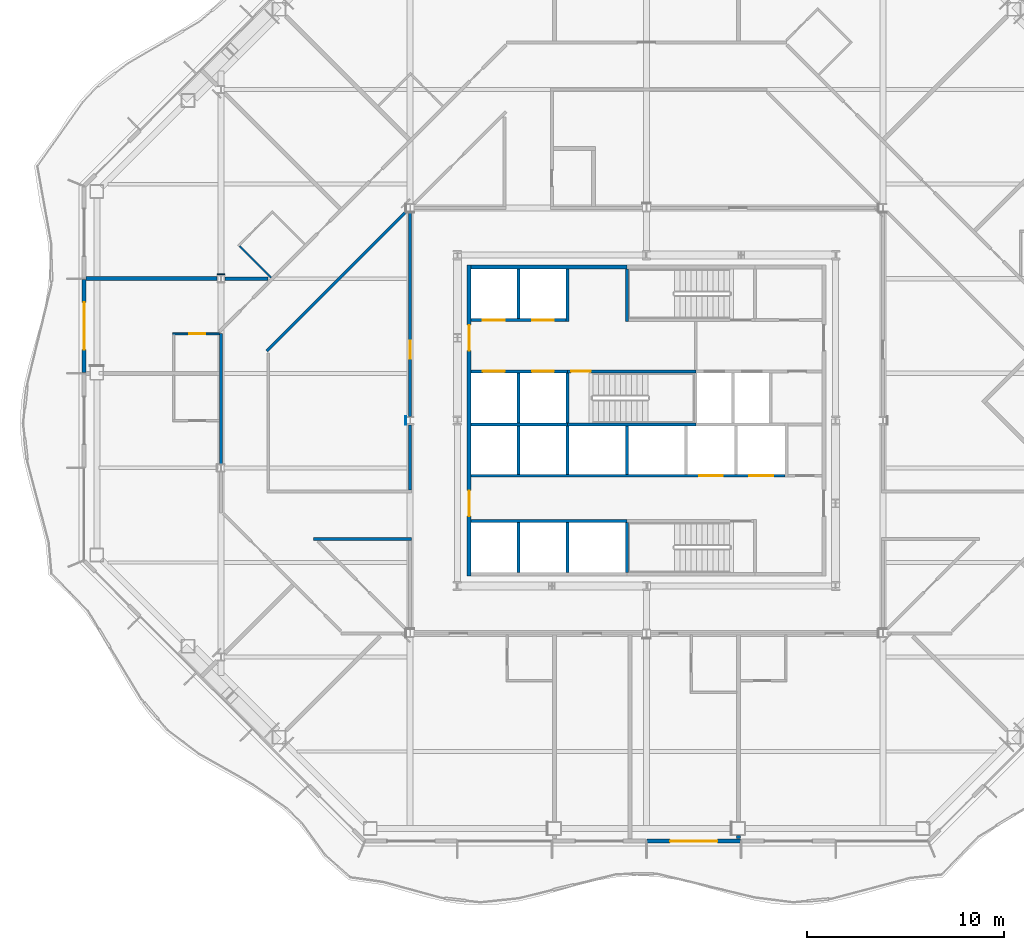
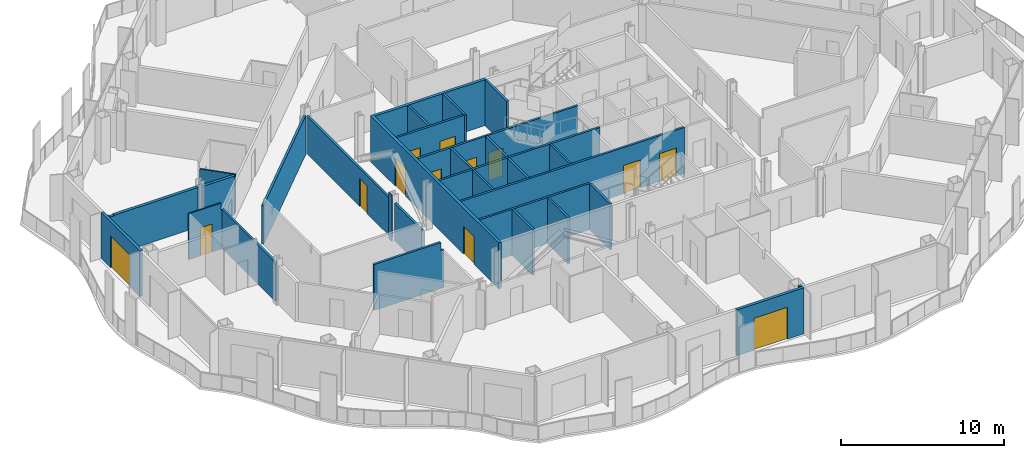
# One storey, part 8 of 21: 34 walls, 13 doors, 13 openings.
"""IFC4 building model written with IfcOpenShell, lengths in metres."""

from ifc_helpers import new_model, si_unit, direction, frame, frame_2d, origin, place, context, subcontext, project, spatial, polyline, rectangle, outline, extrude, material, layer, layer_set, type_object, element, fill, save


model = new_model("IFC4")

# Units and contexts
model_context = context("Model", 3, precision=1e-05, world=origin(), true_north=direction((0.0, 1.0)))
body_context = subcontext(model_context, "Body", "Model", "MODEL_VIEW")
ifc_project = project(units=[si_unit("LENGTHUNIT", "METRE"), si_unit("AREAUNIT", "SQUARE_METRE"), si_unit("VOLUMEUNIT", "CUBIC_METRE"), si_unit("PLANEANGLEUNIT", "RADIAN"), si_unit("MASSUNIT", "GRAM", prefix="KILO")], contexts=[model_context])

# Site, building, storey
site_placement = place(None, origin())
site = spatial("IfcSite", under=ifc_project, at=site_placement, CompositionType="ELEMENT")
building_placement = place(site_placement, origin())
building = spatial("IfcBuilding", under=site, at=building_placement, Name="Cairn Pilgrim Tower", CompositionType="ELEMENT")
storey_placement = place(building_placement, frame((0.0, 0.0, 129.0)))
storey = spatial("IfcBuildingStorey", under=building, at=storey_placement, Name="L31", CompositionType="ELEMENT", Elevation=129.0)

# Wall, opening, door
ifc_material_1 = material(Name="Bronze anodised aluminium insulated sandwich panel with mineral wool fill", Category="aluminium")
ifc_layer_1 = layer(ifc_material_1, 0.199951171875)
ifc_layer_set_1 = layer_set([ifc_layer_1], Name="BRONZE INFILL FRAME WALL 200")
wall_type_1 = type_object("IfcWallType", Name="BRONZE INFILL FRAME WALL 200", PredefinedType="NOTDEFINED", material=ifc_layer_set_1)
wall_1_placement = place(storey_placement, frame((7.22998046875, -18.949951171875, 0.0), z_axis=(0.0, 0.0, 1.0), x_axis=(1.0, 0.0, 0.0)))
wall_1 = element("IfcWall", 1, at=wall_1_placement, inside=storey, type_object=wall_type_1, Name="Bronze infill frame wall IW-S4", PredefinedType="NOTDEFINED", context=body_context, shape_type="SweptSolid", body=[
    extrude(rectangle(XDim=4.739990234375, YDim=0.199951171875, at=frame_2d((2.3701171875, 0.0))), origin(), (0.0, 0.0, 1.0), 3.449951171875),
])
opening_1_placement = place(wall_1_placement, frame((1.17041015625, 0.0, 0.0)))
opening_1 = element("IfcOpeningElement", 2, at=opening_1_placement, cuts=wall_1, Name="Opening 3101B", PredefinedType="OPENING", context=body_context, shape_type="SweptSolid", body=[
    extrude(rectangle(XDim=2.39990234375, YDim=2.39990234375, at=frame_2d((1.199951171875, 1.199951171875))), frame((0.0, 0.10986328125, 0.0), z_axis=(0.0, -1.0, 0.0), x_axis=(1.0, 0.0, 0.0)), (0.0, 0.0, 1.0), 0.219970703125),
])
ifc_material_2 = material(Name="Bronze anodised aluminium frame with tinted low-E glass", Category="aluminium")
door_type_1 = type_object("IfcDoorType", Name="BALCONY SLIDING DOOR 2400x2400", OperationType="DOUBLE_DOOR_SLIDING", PredefinedType="DOOR", material=ifc_material_2)
door_1_placement = place(opening_1_placement, origin())
door_1 = element("IfcDoor", 3, at=door_1_placement, inside=storey, type_object=door_type_1, Name="Balcony sliding door 3101B", OperationType="SINGLE_SWING_LEFT", OverallHeight=2.39990234375, OverallWidth=2.39990234375, PredefinedType="DOOR", context=body_context, shape_type="SweptSolid", body=[
    extrude(rectangle(XDim=2.39990234375, YDim=2.39990234375, at=frame_2d((1.199951171875, 1.199951171875))), frame((0.0, 0.02490234375, 0.0), z_axis=(0.0, -1.0, 0.0), x_axis=(1.0, 0.0, 0.0)), (0.0, 0.0, 1.0), 0.050048828125),
])
fill(opening_1, door_1)

wall_2_placement = place(storey_placement, frame((-21.35009765625, 9.570068359375, 0.0), z_axis=(0.0, 0.0, 1.0), x_axis=(0.0, -1.0, 0.0)))
wall_2 = element("IfcWall", 4, at=wall_2_placement, inside=storey, type_object=wall_type_1, Name="Bronze infill frame wall IW-W2", PredefinedType="NOTDEFINED", context=body_context, shape_type="SweptSolid", body=[
    extrude(rectangle(XDim=4.739990234375, YDim=0.199951171875, at=frame_2d((2.3701171875, 0.0))), origin(), (0.0, 0.0, 1.0), 3.449951171875),
])
opening_2_placement = place(wall_2_placement, frame((1.169921875, 0.0, 0.0)))
opening_2 = element("IfcOpeningElement", 5, at=opening_2_placement, cuts=wall_2, Name="Opening 3113B", PredefinedType="OPENING", context=body_context, shape_type="SweptSolid", body=[
    extrude(rectangle(XDim=2.39990234375, YDim=2.39990234375, at=frame_2d((1.199951171875, 1.199951171875))), frame((0.0, 0.10986328125, 0.0), z_axis=(0.0, -1.0, 0.0), x_axis=(1.0, 0.0, 0.0)), (0.0, 0.0, 1.0), 0.219970703125),
])
door_2_placement = place(opening_2_placement, origin())
door_2 = element("IfcDoor", 6, at=door_2_placement, inside=storey, type_object=door_type_1, Name="Balcony sliding door 3113B", OperationType="SINGLE_SWING_LEFT", OverallHeight=2.39990234375, OverallWidth=2.39990234375, PredefinedType="DOOR", context=body_context, shape_type="SweptSolid", body=[
    extrude(rectangle(XDim=2.39990234375, YDim=2.39990234375, at=frame_2d((1.199951171875, 1.199951171875))), frame((0.0, 0.02490234375, 0.0), z_axis=(0.0, -1.0, 0.0), x_axis=(1.0, 0.0, 0.0)), (0.0, 0.0, 1.0), 0.050048828125),
])
fill(opening_2, door_2)

# Wall
ifc_material_3 = material(Name="Concrete C32/40", Category="concrete")
ifc_layer_2 = layer(ifc_material_3, 0.199951171875)
ifc_layer_set_2 = layer_set([ifc_layer_2], Name="CORE OUTER WALL 200 EI 120")
wall_type_2 = type_object("IfcWallType", Name="CORE OUTER WALL 200 EI 120", PredefinedType="SOLIDWALL", material=ifc_layer_set_2)
wall_3_placement = place(storey_placement, frame((-1.699951171875, 10.199951171875, 0.0), z_axis=(0.0, 0.0, 1.0), x_axis=(1.0, 0.0, 0.0)))
element("IfcWall", 7, at=wall_3_placement, inside=storey, type_object=wall_type_2, Name="CW:L31:H10-1", PredefinedType="SOLIDWALL", context=body_context, shape_type="SweptSolid", body=[
    extrude(rectangle(XDim=7.89990234375, YDim=0.199951171875, at=frame_2d((3.949951171875, 0.0))), origin(), (0.0, 0.0, 1.0), 3.449951171875),
])

# Wall, openings, doors
wall_4_placement = place(storey_placement, frame((-1.800048828125, -5.5, 0.0), z_axis=(0.0, 0.0, 1.0), x_axis=(0.0, 1.0, 0.0)))
wall_4 = element("IfcWall", 8, at=wall_4_placement, inside=storey, type_object=wall_type_2, Name="CW:L31:V11", PredefinedType="SOLIDWALL", context=body_context, shape_type="SweptSolid", body=[
    extrude(rectangle(XDim=15.800048828125, YDim=0.199951171875, at=frame_2d((7.89990234375, 0.0))), origin(), (0.0, 0.0, 1.0), 3.449951171875),
])
opening_3_placement = place(wall_4_placement, frame((3.050048828125, 0.0, 0.0)))
opening_3 = element("IfcOpeningElement", 9, at=opening_3_placement, cuts=wall_4, Name="Opening CD-W1", PredefinedType="OPENING", context=body_context, shape_type="SweptSolid", body=[
    extrude(rectangle(XDim=1.300048828125, YDim=2.10009765625, at=frame_2d((0.64990234375, 1.050048828125))), frame((0.0, 0.10986328125, 0.0), z_axis=(0.0, -1.0, 0.0), x_axis=(1.0, 0.0, 0.0)), (0.0, 0.0, 1.0), 0.219970703125),
])
opening_4_placement = place(wall_4_placement, frame((11.449951171875, 0.0, 0.0)))
opening_4 = element("IfcOpeningElement", 10, at=opening_4_placement, cuts=wall_4, Name="Opening CD-W2", PredefinedType="OPENING", context=body_context, shape_type="SweptSolid", body=[
    extrude(rectangle(XDim=1.300048828125, YDim=2.10009765625, at=frame_2d((0.64990234375, 1.050048828125))), frame((0.0, 0.10986328125, 0.0), z_axis=(0.0, -1.0, 0.0), x_axis=(1.0, 0.0, 0.0)), (0.0, 0.0, 1.0), 0.219970703125),
])
ifc_material_4 = material(Name="Painted steel", Category="steel")
door_type_2 = type_object("IfcDoorType", Name="CORE LOBBY DOOR 1300x2100", OperationType="DOUBLE_DOOR_SINGLE_SWING", PredefinedType="DOOR", material=ifc_material_4)
door_3_placement = place(opening_3_placement, origin())
door_3 = element("IfcDoor", 11, at=door_3_placement, inside=storey, type_object=door_type_2, Name="CD-W1", OperationType="DOUBLE_DOOR_SINGLE_SWING", OverallHeight=2.10009765625, OverallWidth=1.300048828125, PredefinedType="DOOR", context=body_context, shape_type="SweptSolid", body=[
    extrude(rectangle(XDim=1.300048828125, YDim=2.10009765625, at=frame_2d((0.64990234375, 1.050048828125))), frame((0.0, 0.02490234375, 0.0), z_axis=(0.0, -1.0, 0.0), x_axis=(1.0, 0.0, 0.0)), (0.0, 0.0, 1.0), 0.050048828125),
])
fill(opening_3, door_3)
door_4_placement = place(opening_4_placement, origin())
door_4 = element("IfcDoor", 12, at=door_4_placement, inside=storey, type_object=door_type_2, Name="CD-W2", OperationType="DOUBLE_DOOR_SINGLE_SWING", OverallHeight=2.10009765625, OverallWidth=1.300048828125, PredefinedType="DOOR", context=body_context, shape_type="SweptSolid", body=[
    extrude(rectangle(XDim=1.300048828125, YDim=2.10009765625, at=frame_2d((0.64990234375, 1.050048828125))), frame((0.0, 0.02490234375, 0.0), z_axis=(0.0, -1.0, 0.0), x_axis=(1.0, 0.0, 0.0)), (0.0, 0.0, 1.0), 0.050048828125),
])
fill(opening_4, door_4)

# Wall
ifc_layer_3 = layer(ifc_material_3, 0.14990234375)
ifc_layer_set_3 = layer_set([ifc_layer_3], Name="CORE SHAFT WALL 150 EI 120")
wall_type_3 = type_object("IfcWallType", Name="CORE SHAFT WALL 150 EI 120", PredefinedType="SOLIDWALL", material=ifc_layer_set_3)
wall_5_placement = place(storey_placement, frame((-1.699951171875, -2.699951171875, 0.0), z_axis=(0.0, 0.0, 1.0), x_axis=(1.0, 0.0, 0.0)))
element("IfcWall", 13, at=wall_5_placement, inside=storey, type_object=wall_type_3, Name="CW:L31:H02-1", PredefinedType="SOLIDWALL", context=body_context, shape_type="SweptSolid", body=[
    extrude(rectangle(XDim=7.89990234375, YDim=0.14990234375, at=frame_2d((3.949951171875, 0.0))), origin(), (0.0, 0.0, 1.0), 3.449951171875),
])

# Wall, openings, doors
wall_6_placement = place(storey_placement, frame((-1.699951171875, -0.39990234375, 0.0), z_axis=(0.0, 0.0, 1.0), x_axis=(1.0, 0.0, 0.0)))
wall_6 = element("IfcWall", 14, at=wall_6_placement, inside=storey, type_object=wall_type_3, Name="CW:L31:H03", PredefinedType="SOLIDWALL", context=body_context, shape_type="SweptSolid", body=[
    extrude(rectangle(XDim=15.925048828125, YDim=0.14990234375, at=frame_2d((7.96240234375, 0.0))), origin(), (0.0, 0.0, 1.0), 3.449951171875),
])
opening_5_placement = place(wall_6_placement, frame((11.574951171875, 0.0, 0.0)))
opening_5 = element("IfcOpeningElement", 15, at=opening_5_placement, cuts=wall_6, Name="Opening LD-SV1", PredefinedType="OPENING", context=body_context, shape_type="SweptSolid", body=[
    extrude(rectangle(XDim=1.199951171875, YDim=2.10009765625, at=frame_2d((0.60009765625, 1.050048828125))), frame((0.0, 0.0849609375, 0.0), z_axis=(0.0, -1.0, 0.0), x_axis=(1.0, 0.0, 0.0)), (0.0, 0.0, 1.0), 0.169921875),
])
opening_6_placement = place(wall_6_placement, frame((14.125, 0.0, 0.0)))
opening_6 = element("IfcOpeningElement", 16, at=opening_6_placement, cuts=wall_6, Name="Opening LD-SV2", PredefinedType="OPENING", context=body_context, shape_type="SweptSolid", body=[
    extrude(rectangle(XDim=1.199951171875, YDim=2.10009765625, at=frame_2d((0.60009765625, 1.050048828125))), frame((0.0, 0.0849609375, 0.0), z_axis=(0.0, -1.0, 0.0), x_axis=(1.0, 0.0, 0.0)), (0.0, 0.0, 1.0), 0.169921875),
])
ifc_material_5 = material(Name="Stainless steel", Category="steel")
door_type_3 = type_object("IfcDoorType", Name="LIFT LANDING DOOR 1200x2100", OperationType="DOUBLE_DOOR_SLIDING", PredefinedType="DOOR", material=ifc_material_5)
door_5_placement = place(opening_5_placement, origin())
door_5 = element("IfcDoor", 17, at=door_5_placement, inside=storey, type_object=door_type_3, Name="LANDING DOOR SV1", OperationType="DOUBLE_DOOR_SLIDING", OverallHeight=2.10009765625, OverallWidth=1.199951171875, PredefinedType="DOOR", context=body_context, shape_type="SweptSolid", body=[
    extrude(rectangle(XDim=1.199951171875, YDim=2.10009765625, at=frame_2d((0.60009765625, 1.050048828125))), frame((0.0, 0.02490234375, 0.0), z_axis=(0.0, -1.0, 0.0), x_axis=(1.0, 0.0, 0.0)), (0.0, 0.0, 1.0), 0.050048828125),
])
fill(opening_5, door_5)
door_6_placement = place(opening_6_placement, origin())
door_6 = element("IfcDoor", 18, at=door_6_placement, inside=storey, type_object=door_type_3, Name="LANDING DOOR SV2", OperationType="DOUBLE_DOOR_SLIDING", OverallHeight=2.10009765625, OverallWidth=1.199951171875, PredefinedType="DOOR", context=body_context, shape_type="SweptSolid", body=[
    extrude(rectangle(XDim=1.199951171875, YDim=2.10009765625, at=frame_2d((0.60009765625, 1.050048828125))), frame((0.0, 0.02490234375, 0.0), z_axis=(0.0, -1.0, 0.0), x_axis=(1.0, 0.0, 0.0)), (0.0, 0.0, 1.0), 0.050048828125),
])
fill(opening_6, door_6)

# Wall
wall_7_placement = place(storey_placement, frame((-1.699951171875, 2.199951171875, 0.0), z_axis=(0.0, 0.0, 1.0), x_axis=(1.0, 0.0, 0.0)))
element("IfcWall", 19, at=wall_7_placement, inside=storey, type_object=wall_type_3, Name="CW:L31:H05-1", PredefinedType="SOLIDWALL", context=body_context, shape_type="SweptSolid", body=[
    extrude(rectangle(XDim=4.89990234375, YDim=0.14990234375, at=frame_2d((2.449951171875, 0.0))), origin(), (0.0, 0.0, 1.0), 3.449951171875),
])

# Wall, openings, doors
wall_8_placement = place(storey_placement, frame((-1.699951171875, 4.89990234375, 0.0), z_axis=(0.0, 0.0, 1.0), x_axis=(1.0, 0.0, 0.0)))
wall_8 = element("IfcWall", 20, at=wall_8_placement, inside=storey, type_object=wall_type_3, Name="CW:L31:H07-1", PredefinedType="SOLIDWALL", context=body_context, shape_type="SweptSolid", body=[
    extrude(rectangle(XDim=4.89990234375, YDim=0.14990234375, at=frame_2d((2.449951171875, 0.0))), origin(), (0.0, 0.0, 1.0), 3.449951171875),
])
opening_7_placement = place(wall_8_placement, frame((0.60009765625, 0.0, 0.0)))
opening_7 = element("IfcOpeningElement", 21, at=opening_7_placement, cuts=wall_8, Name="Opening LD-HR1", PredefinedType="OPENING", context=body_context, shape_type="SweptSolid", body=[
    extrude(rectangle(XDim=1.10009765625, YDim=2.10009765625, at=frame_2d((0.550048828125, 1.050048828125))), frame((0.0, 0.0849609375, 0.0), z_axis=(0.0, -1.0, 0.0), x_axis=(1.0, 0.0, 0.0)), (0.0, 0.0, 1.0), 0.169921875),
])
opening_8_placement = place(wall_8_placement, frame((3.10009765625, 0.0, 0.0)))
opening_8 = element("IfcOpeningElement", 22, at=opening_8_placement, cuts=wall_8, Name="Opening LD-HR2", PredefinedType="OPENING", context=body_context, shape_type="SweptSolid", body=[
    extrude(rectangle(XDim=1.10009765625, YDim=2.10009765625, at=frame_2d((0.550048828125, 1.050048828125))), frame((0.0, 0.0849609375, 0.0), z_axis=(0.0, -1.0, 0.0), x_axis=(1.0, 0.0, 0.0)), (0.0, 0.0, 1.0), 0.169921875),
])
door_type_4 = type_object("IfcDoorType", Name="LIFT LANDING DOOR 1100x2100", OperationType="DOUBLE_DOOR_SLIDING", PredefinedType="DOOR", material=ifc_material_5)
door_7_placement = place(opening_7_placement, origin())
door_7 = element("IfcDoor", 23, at=door_7_placement, inside=storey, type_object=door_type_4, Name="LANDING DOOR HR1", OperationType="DOUBLE_DOOR_SLIDING", OverallHeight=2.10009765625, OverallWidth=1.10009765625, PredefinedType="DOOR", context=body_context, shape_type="SweptSolid", body=[
    extrude(rectangle(XDim=1.10009765625, YDim=2.10009765625, at=frame_2d((0.550048828125, 1.050048828125))), frame((0.0, 0.02490234375, 0.0), z_axis=(0.0, -1.0, 0.0), x_axis=(1.0, 0.0, 0.0)), (0.0, 0.0, 1.0), 0.050048828125),
])
fill(opening_7, door_7)
door_8_placement = place(opening_8_placement, origin())
door_8 = element("IfcDoor", 24, at=door_8_placement, inside=storey, type_object=door_type_4, Name="LANDING DOOR HR2", OperationType="DOUBLE_DOOR_SLIDING", OverallHeight=2.10009765625, OverallWidth=1.10009765625, PredefinedType="DOOR", context=body_context, shape_type="SweptSolid", body=[
    extrude(rectangle(XDim=1.10009765625, YDim=2.10009765625, at=frame_2d((0.550048828125, 1.050048828125))), frame((0.0, 0.02490234375, 0.0), z_axis=(0.0, -1.0, 0.0), x_axis=(1.0, 0.0, 0.0)), (0.0, 0.0, 1.0), 0.050048828125),
])
fill(opening_8, door_8)

wall_9_placement = place(storey_placement, frame((-1.699951171875, 7.5, 0.0), z_axis=(0.0, 0.0, 1.0), x_axis=(1.0, 0.0, 0.0)))
wall_9 = element("IfcWall", 25, at=wall_9_placement, inside=storey, type_object=wall_type_3, Name="CW:L31:H08", PredefinedType="SOLIDWALL", context=body_context, shape_type="SweptSolid", body=[
    extrude(rectangle(XDim=4.824951171875, YDim=0.14990234375, at=frame_2d((2.41259765625, 0.0))), origin(), (0.0, 0.0, 1.0), 3.449951171875),
])
opening_9_placement = place(wall_9_placement, frame((0.60009765625, 0.0, 0.0)))
opening_9 = element("IfcOpeningElement", 26, at=opening_9_placement, cuts=wall_9, Name="Opening LD-HR3", PredefinedType="OPENING", context=body_context, shape_type="SweptSolid", body=[
    extrude(rectangle(XDim=1.10009765625, YDim=2.10009765625, at=frame_2d((0.550048828125, 1.050048828125))), frame((0.0, 0.0849609375, 0.0), z_axis=(0.0, -1.0, 0.0), x_axis=(1.0, 0.0, 0.0)), (0.0, 0.0, 1.0), 0.169921875),
])
opening_10_placement = place(wall_9_placement, frame((3.10009765625, 0.0, 0.0)))
opening_10 = element("IfcOpeningElement", 27, at=opening_10_placement, cuts=wall_9, Name="Opening LD-HR4", PredefinedType="OPENING", context=body_context, shape_type="SweptSolid", body=[
    extrude(rectangle(XDim=1.10009765625, YDim=2.10009765625, at=frame_2d((0.550048828125, 1.050048828125))), frame((0.0, 0.0849609375, 0.0), z_axis=(0.0, -1.0, 0.0), x_axis=(1.0, 0.0, 0.0)), (0.0, 0.0, 1.0), 0.169921875),
])
door_9_placement = place(opening_9_placement, origin())
door_9 = element("IfcDoor", 28, at=door_9_placement, inside=storey, type_object=door_type_4, Name="LANDING DOOR HR3", OperationType="DOUBLE_DOOR_SLIDING", OverallHeight=2.10009765625, OverallWidth=1.10009765625, PredefinedType="DOOR", context=body_context, shape_type="SweptSolid", body=[
    extrude(rectangle(XDim=1.10009765625, YDim=2.10009765625, at=frame_2d((0.550048828125, 1.050048828125))), frame((0.0, 0.02490234375, 0.0), z_axis=(0.0, -1.0, 0.0), x_axis=(1.0, 0.0, 0.0)), (0.0, 0.0, 1.0), 0.050048828125),
])
fill(opening_9, door_9)
door_10_placement = place(opening_10_placement, origin())
door_10 = element("IfcDoor", 29, at=door_10_placement, inside=storey, type_object=door_type_4, Name="LANDING DOOR HR4", OperationType="DOUBLE_DOOR_SLIDING", OverallHeight=2.10009765625, OverallWidth=1.10009765625, PredefinedType="DOOR", context=body_context, shape_type="SweptSolid", body=[
    extrude(rectangle(XDim=1.10009765625, YDim=2.10009765625, at=frame_2d((0.550048828125, 1.050048828125))), frame((0.0, 0.02490234375, 0.0), z_axis=(0.0, -1.0, 0.0), x_axis=(1.0, 0.0, 0.0)), (0.0, 0.0, 1.0), 0.050048828125),
])
fill(opening_10, door_10)

# Walls
wall_10_placement = place(storey_placement, frame((0.699951171875, -5.300048828125, 0.0), z_axis=(0.0, 0.0, 1.0), x_axis=(0.0, 1.0, 0.0)))
element("IfcWall", 30, at=wall_10_placement, inside=storey, type_object=wall_type_3, Name="CW:L31:V12", PredefinedType="SOLIDWALL", context=body_context, shape_type="SweptSolid", body=[
    extrude(rectangle(XDim=2.525146484375, YDim=0.14990234375, at=frame_2d((1.2626953125, 0.0))), origin(), (0.0, 0.0, 1.0), 3.449951171875),
])
wall_11_placement = place(storey_placement, frame((0.699951171875, -0.324951171875, 0.0), z_axis=(0.0, 0.0, 1.0), x_axis=(0.0, 1.0, 0.0)))
element("IfcWall", 31, at=wall_11_placement, inside=storey, type_object=wall_type_3, Name="CW:L31:V13", PredefinedType="SOLIDWALL", context=body_context, shape_type="SweptSolid", body=[
    extrude(rectangle(XDim=2.449951171875, YDim=0.14990234375, at=frame_2d((1.22509765625, 0.0))), origin(), (0.0, 0.0, 1.0), 3.449951171875),
])
wall_12_placement = place(storey_placement, frame((0.699951171875, 2.27490234375, 0.0), z_axis=(0.0, 0.0, 1.0), x_axis=(0.0, 1.0, 0.0)))
element("IfcWall", 32, at=wall_12_placement, inside=storey, type_object=wall_type_3, Name="CW:L31:V14", PredefinedType="SOLIDWALL", context=body_context, shape_type="SweptSolid", body=[
    extrude(rectangle(XDim=2.550048828125, YDim=0.14990234375, at=frame_2d((1.27490234375, 0.0))), origin(), (0.0, 0.0, 1.0), 3.449951171875),
])
for number, where, z_axis, x_axis, name in (
    (33, (0.699951171875, 7.574951171875, 0.0), (0.0, 0.0, 1.0), (0.0, 1.0, 0.0), "CW:L31:V15"),
    (34, (3.199951171875, -5.300048828125, 0.0), (0.0, 0.0, 1.0), (0.0, 1.0, 0.0), "CW:L31:V16"),
):
    element("IfcWall", number, at=place(storey_placement, frame(where, z_axis=z_axis, x_axis=x_axis)), inside=storey, type_object=wall_type_3, Name=name, PredefinedType="SOLIDWALL", context=body_context, shape_type="SweptSolid", body=[
        extrude(rectangle(XDim=2.525146484375, YDim=0.14990234375, at=frame_2d((1.2626953125, 0.0))), origin(), (0.0, 0.0, 1.0), 3.449951171875),
    ])
wall_13_placement = place(storey_placement, frame((3.199951171875, -0.324951171875, 0.0), z_axis=(0.0, 0.0, 1.0), x_axis=(0.0, 1.0, 0.0)))
element("IfcWall", 35, at=wall_13_placement, inside=storey, type_object=wall_type_3, Name="CW:L31:V17", PredefinedType="SOLIDWALL", context=body_context, shape_type="SweptSolid", body=[
    extrude(rectangle(XDim=2.449951171875, YDim=0.14990234375, at=frame_2d((1.22509765625, 0.0))), origin(), (0.0, 0.0, 1.0), 3.449951171875),
])
wall_14_placement = place(storey_placement, frame((3.199951171875, 7.425048828125, 0.0), z_axis=(0.0, 0.0, 1.0), x_axis=(0.0, 1.0, 0.0)))
element("IfcWall", 36, at=wall_14_placement, inside=storey, type_object=wall_type_3, Name="CW:L31:V19", PredefinedType="SOLIDWALL", context=body_context, shape_type="SweptSolid", body=[
    extrude(rectangle(XDim=2.675048828125, YDim=0.14990234375, at=frame_2d((1.33740234375, 0.0))), origin(), (0.0, 0.0, 1.0), 3.449951171875),
])
wall_15_placement = place(storey_placement, frame((6.199951171875, -0.324951171875, 0.0), z_axis=(0.0, 0.0, 1.0), x_axis=(0.0, 1.0, 0.0)))
element("IfcWall", 37, at=wall_15_placement, inside=storey, type_object=wall_type_3, Name="CW:L31:V21", PredefinedType="SOLIDWALL", context=body_context, shape_type="SweptSolid", body=[
    extrude(rectangle(XDim=2.449951171875, YDim=0.14990234375, at=frame_2d((1.22509765625, 0.0))), origin(), (0.0, 0.0, 1.0), 3.449951171875),
])

# Wall, opening, door
ifc_material_6 = material(Name="Gypsum partition")
ifc_layer_4 = layer(ifc_material_6, 0.10009765625)
ifc_layer_set_4 = layer_set([ifc_layer_4], Name="PARTITION 100 DRYWALL")
wall_type_4 = type_object("IfcWallType", Name="PARTITION 100 DRYWALL", PredefinedType="PARTITIONING", material=ifc_layer_set_4)
wall_16_placement = place(storey_placement, frame((-16.85009765625, 6.800048828125, 0.0), z_axis=(0.0, 0.0, 1.0), x_axis=(1.0, 0.0, 0.0)))
wall_16 = element("IfcWall", 38, at=wall_16_placement, inside=storey, type_object=wall_type_4, Name="PARTITION W060", PredefinedType="PARTITIONING", context=body_context, shape_type="SweptSolid", body=[
    extrude(outline(polyline([(0.0, 0.0), (2.375, 0.0), (2.375, 2.929931640625), (2.300048828125, 2.929931640625), (2.298095703125, 3.449951171875), (0.0, 3.449951171875), (0.0, 0.0)])), frame((0.0, 0.050048828125, 0.0), z_axis=(0.0, -1.0, 0.0), x_axis=(1.0, 0.0, 0.0)), (0.0, 0.0, 1.0), 0.10009765625),
])
opening_11_placement = place(wall_16_placement, frame((0.85009765625, 0.0, 0.0)))
opening_11 = element("IfcOpeningElement", 39, at=opening_11_placement, cuts=wall_16, Name="Opening 3113A", PredefinedType="OPENING", context=body_context, shape_type="SweptSolid", body=[
    extrude(rectangle(XDim=0.800048828125, YDim=2.10009765625, at=frame_2d((0.39990234375, 1.050048828125))), frame((0.0, 0.06005859375, 0.0), z_axis=(0.0, -1.0, 0.0), x_axis=(1.0, 0.0, 0.0)), (0.0, 0.0, 1.0), 0.1201171875),
])
ifc_material_7 = material(Name="Timber door leaf", Category="wood")
door_type_5 = type_object("IfcDoorType", Name="WC DOOR 800x2100", OperationType="NOTDEFINED", PredefinedType="DOOR", material=ifc_material_7)
door_11_placement = place(opening_11_placement, origin())
door_11 = element("IfcDoor", 40, at=door_11_placement, inside=storey, type_object=door_type_5, Name="DOOR 3113A", OperationType="SINGLE_SWING_RIGHT", OverallHeight=2.10009765625, OverallWidth=0.800048828125, PredefinedType="DOOR", context=body_context, shape_type="SweptSolid", body=[
    extrude(rectangle(XDim=0.800048828125, YDim=2.10009765625, at=frame_2d((0.39990234375, 1.050048828125))), frame((0.0, 0.02490234375, 0.0), z_axis=(0.0, -1.0, 0.0), x_axis=(1.0, 0.0, 0.0)), (0.0, 0.0, 1.0), 0.050048828125),
])
fill(opening_11, door_11)

# Walls
wall_17_placement = place(storey_placement, frame((-11.846923828125, 9.653076171875, 0.0), z_axis=(0.0, 0.0, 1.0), x_axis=(-0.707106781187, 0.707106781187, 0.0)))
element("IfcWall", 41, at=wall_17_placement, inside=storey, type_object=wall_type_4, Name="PARTITION W066", PredefinedType="PARTITIONING", context=body_context, shape_type="SweptSolid", body=[
    extrude(rectangle(XDim=2.27490234375, YDim=0.10009765625, at=frame_2d((1.137451171875, 0.0))), origin(), (0.0, 0.0, 1.0), 2.929931640625),
])
ifc_layer_5 = layer(ifc_material_6, 0.14990234375)
ifc_layer_set_5 = layer_set([ifc_layer_5], Name="PARTITION 150 DRYWALL EI 60")
wall_type_5 = type_object("IfcWallType", Name="PARTITION 150 DRYWALL EI 60", PredefinedType="PARTITIONING", material=ifc_layer_set_5)
wall_18_placement = place(storey_placement, frame((-9.7060546875, -3.60009765625, 0.0), z_axis=(0.0, 0.0, 1.0), x_axis=(1.0, 0.0, 0.0)))
element("IfcWall", 42, at=wall_18_placement, inside=storey, type_object=wall_type_5, Name="PARTITION W029", PredefinedType="PARTITIONING", context=body_context, shape_type="SweptSolid", body=[
    extrude(outline(polyline([(0.0, 0.0), (4.98095703125, 0.0), (4.981201171875, 2.830078125), (4.756103515625, 2.830078125), (4.754150390625, 3.449951171875), (0.0, 3.449951171875), (0.0, 0.0)])), frame((0.0, 0.074951171875, 0.0), z_axis=(0.0, -1.0, 0.0), x_axis=(1.0, 0.0, 0.0)), (0.0, 0.0, 1.0), 0.14990234375),
])
wall_19_placement = place(storey_placement, frame((-4.800048828125, -1.125, 0.0), z_axis=(0.0, 0.0, 1.0), x_axis=(0.0, 1.0, 0.0)))
element("IfcWall", 43, at=wall_19_placement, inside=storey, type_object=wall_type_5, Name="PARTITION W035", PredefinedType="PARTITIONING", context=body_context, shape_type="SweptSolid", body=[
    extrude(rectangle(XDim=3.3125, YDim=0.14990234375, at=frame_2d((1.65625, 0.0))), origin(), (0.0, 0.0, 1.0), 2.830078125),
])
wall_20_placement = place(storey_placement, frame((-14.39990234375, 0.196533203125, 0.0), z_axis=(0.0, 0.0, 1.0), x_axis=(0.0, 1.0, 0.0)))
element("IfcWall", 44, at=wall_20_placement, inside=storey, type_object=wall_type_5, Name="PARTITION W039", PredefinedType="PARTITIONING", context=body_context, shape_type="SweptSolid", body=[
    extrude(rectangle(XDim=6.616455078125, YDim=0.14990234375, at=frame_2d((3.30810546875, 0.0))), origin(), (0.0, 0.0, 1.0), 2.929931640625),
])

# Wall, opening, door
wall_21_placement = place(storey_placement, frame((-4.800048828125, 2.612548828125, 0.0), z_axis=(0.0, 0.0, 1.0), x_axis=(0.0, 1.0, 0.0)))
wall_21 = element("IfcWall", 45, at=wall_21_placement, inside=storey, type_object=wall_type_5, Name="PARTITION W046", PredefinedType="PARTITIONING", context=body_context, shape_type="SweptSolid", body=[
    extrude(rectangle(XDim=10.375, YDim=0.14990234375, at=frame_2d((5.1875, 0.0))), origin(), (0.0, 0.0, 1.0), 2.830078125),
])
opening_12_placement = place(wall_21_placement, frame((2.9375, 0.0, 0.0)))
opening_12 = element("IfcOpeningElement", 46, at=opening_12_placement, cuts=wall_21, Name="Opening 3124", PredefinedType="OPENING", context=body_context, shape_type="SweptSolid", body=[
    extrude(rectangle(XDim=0.89990234375, YDim=2.10009765625, at=frame_2d((0.449951171875, 1.050048828125))), frame((0.0, 0.0849609375, 0.0), z_axis=(0.0, -1.0, 0.0), x_axis=(1.0, 0.0, 0.0)), (0.0, 0.0, 1.0), 0.169921875),
])
door_type_6 = type_object("IfcDoorType", Name="SERVICE DOOR 900x2100 FD30S", OperationType="NOTDEFINED", PredefinedType="DOOR", material=ifc_material_7)
door_12_placement = place(opening_12_placement, origin())
door_12 = element("IfcDoor", 47, at=door_12_placement, inside=storey, type_object=door_type_6, Name="DOOR 3124", OperationType="SINGLE_SWING_LEFT", OverallHeight=2.10009765625, OverallWidth=0.89990234375, PredefinedType="DOOR", context=body_context, shape_type="SweptSolid", body=[
    extrude(rectangle(XDim=0.89990234375, YDim=2.10009765625, at=frame_2d((0.449951171875, 1.050048828125))), frame((0.0, 0.02490234375, 0.0), z_axis=(0.0, -1.0, 0.0), x_axis=(1.0, 0.0, 0.0)), (0.0, 0.0, 1.0), 0.050048828125),
])
fill(opening_12, door_12)

# Walls
wall_22_placement = place(storey_placement, frame((-12.074951171875, 5.925048828125, 0.0), z_axis=(0.0, 0.0, 1.0), x_axis=(0.707106781187, 0.707106781187, 0.0)))
element("IfcWall", 48, at=wall_22_placement, inside=storey, type_object=wall_type_5, Name="PARTITION W057", PredefinedType="PARTITIONING", context=body_context, shape_type="SweptSolid", body=[
    extrude(rectangle(XDim=9.993408203125, YDim=0.14990234375, at=frame_2d((4.99658203125, 0.0))), origin(), (0.0, 0.0, 1.0), 2.929931640625),
])
ifc_layer_6 = layer(ifc_material_6, 0.050048828125)
ifc_layer_set_6 = layer_set([ifc_layer_6], Name="PARTITION 50 DRYWALL EI 60")
wall_type_6 = type_object("IfcWallType", Name="PARTITION 50 DRYWALL EI 60", PredefinedType="PARTITIONING", material=ifc_layer_set_6)
wall_23_placement = place(storey_placement, frame((-5.029541015625, 2.1875, 0.0), z_axis=(0.0, 0.0, 1.0), x_axis=(0.0, 1.0, 0.0)))
element("IfcWall", 49, at=wall_23_placement, inside=storey, type_object=wall_type_6, Name="COLUMN CASING WC19", PredefinedType="PARTITIONING", context=body_context, shape_type="SweptSolid", body=[
    extrude(rectangle(XDim=0.425048828125, YDim=0.050048828125, at=frame_2d((0.21240234375, 0.0))), origin(), (0.0, 0.0, 1.0), 3.449951171875),
])
wall_24_placement = place(storey_placement, frame((-14.599609375, 9.821533203125, 0.0), z_axis=(0.0, 0.0, 1.0), x_axis=(1.0, 0.0, 0.0)))
element("IfcWall", 50, at=wall_24_placement, inside=storey, type_object=wall_type_6, Name="COLUMN CASING WC28", PredefinedType="PARTITIONING", context=body_context, shape_type="SweptSolid", body=[
    extrude(rectangle(XDim=0.399169921875, YDim=0.050048828125, at=frame_2d((0.19970703125, 0.0))), origin(), (0.0, 0.0, 1.0), 2.929931640625),
])
ifc_layer_7 = layer(ifc_material_6, 0.199951171875)
ifc_layer_set_7 = layer_set([ifc_layer_7], Name="SHAFT WALL 200 GYPSUM EI 60")
wall_type_7 = type_object("IfcWallType", Name="SHAFT WALL 200 GYPSUM EI 60", PredefinedType="PARTITIONING", material=ifc_layer_set_7)
wall_25_placement = place(storey_placement, frame((11.8759765625, -18.820068359375, 0.0), z_axis=(0.0, 0.0, 1.0), x_axis=(0.0, 1.0, 0.0)))
element("IfcWall", 51, at=wall_25_placement, inside=storey, type_object=wall_type_7, Name="PARTITION W003", PredefinedType="PARTITIONING", context=body_context, shape_type="SweptSolid", body=[
    extrude(rectangle(XDim=0.170166015625, YDim=0.199951171875, at=frame_2d((0.0849609375, 0.0))), origin(), (0.0, 0.0, 1.0), 3.449951171875),
])
wall_26_placement = place(storey_placement, frame((-21.25, 9.60009765625, 0.0), z_axis=(0.0, 0.0, 1.0), x_axis=(1.0, 0.0, 0.0)))
element("IfcWall", 52, at=wall_26_placement, inside=storey, type_object=wall_type_7, Name="PARTITION W062", PredefinedType="PARTITIONING", context=body_context, shape_type="SweptSolid", body=[
    extrude(outline(polyline([(0.0, 0.0), (6.650390625, 0.0), (6.650390625, 2.97998046875), (0.699951171875, 2.97998046875), (0.697998046875, 2.929931640625), (0.39990234375, 2.929931640625), (0.39794921875, 2.97998046875), (0.0, 2.97998046875), (0.0, 0.0)])), frame((0.0, 0.10009765625, 0.0), z_axis=(0.0, -1.0, 0.0), x_axis=(1.0, 0.0, 0.0)), (0.0, 0.0, 1.0), 0.199951171875),
])
wall_27_placement = place(storey_placement, frame((-14.200439453125, 9.60009765625, 0.0), z_axis=(0.0, 0.0, 1.0), x_axis=(1.0, 0.0, 0.0)))
element("IfcWall", 53, at=wall_27_placement, inside=storey, type_object=wall_type_7, Name="PARTITION W063", PredefinedType="PARTITIONING", context=body_context, shape_type="SweptSolid", body=[
    extrude(rectangle(XDim=2.200439453125, YDim=0.199951171875, at=frame_2d((1.10009765625, 0.0))), origin(), (0.0, 0.0, 1.0), 2.929931640625),
])
ifc_material_8 = material(Name="Concrete C35/45", Category="concrete")
ifc_layer_8 = layer(ifc_material_8, 0.14990234375)
ifc_layer_set_8 = layer_set([ifc_layer_8], Name="STAIR SHAFT WALL 150 EI 120")
wall_type_8 = type_object("IfcWallType", Name="STAIR SHAFT WALL 150 EI 120", PredefinedType="SOLIDWALL", material=ifc_layer_set_8)
wall_28_placement = place(storey_placement, frame((3.199951171875, 2.199951171875, 0.0), z_axis=(0.0, 0.0, 1.0), x_axis=(1.0, 0.0, 0.0)))
element("IfcWall", 54, at=wall_28_placement, inside=storey, type_object=wall_type_8, Name="CW:L31:H05-2", PredefinedType="SOLIDWALL", context=body_context, shape_type="SweptSolid", body=[
    extrude(rectangle(XDim=6.5, YDim=0.14990234375, at=frame_2d((3.25, 0.0))), origin(), (0.0, 0.0, 1.0), 3.449951171875),
])

# Wall, opening, door
wall_29_placement = place(storey_placement, frame((3.199951171875, 4.89990234375, 0.0), z_axis=(0.0, 0.0, 1.0), x_axis=(1.0, 0.0, 0.0)))
wall_29 = element("IfcWall", 55, at=wall_29_placement, inside=storey, type_object=wall_type_8, Name="CW:L31:H07-2", PredefinedType="SOLIDWALL", context=body_context, shape_type="SweptSolid", body=[
    extrude(rectangle(XDim=6.5, YDim=0.14990234375, at=frame_2d((3.25, 0.0))), origin(), (0.0, 0.0, 1.0), 3.449951171875),
])
opening_13_placement = place(wall_29_placement, frame((0.175048828125, 0.0, 0.0)))
opening_13 = element("IfcOpeningElement", 56, at=opening_13_placement, cuts=wall_29, Name="Opening SD-B", PredefinedType="OPENING", context=body_context, shape_type="SweptSolid", body=[
    extrude(rectangle(XDim=1.0, YDim=2.10009765625, at=frame_2d((0.5, 1.050048828125))), frame((0.0, 0.0849609375, 0.0), z_axis=(0.0, -1.0, 0.0), x_axis=(1.0, 0.0, 0.0)), (0.0, 0.0, 1.0), 0.169921875),
])
door_type_7 = type_object("IfcDoorType", Name="STAIR DOOR FD60S 1000x2100", OperationType="SINGLE_SWING_LEFT", PredefinedType="DOOR", material=ifc_material_4)
door_13_placement = place(opening_13_placement, origin())
door_13 = element("IfcDoor", 57, at=door_13_placement, inside=storey, type_object=door_type_7, Name="SD-B", OperationType="SINGLE_SWING_RIGHT", OverallHeight=2.10009765625, OverallWidth=1.0, PredefinedType="DOOR", context=body_context, shape_type="SweptSolid", body=[
    extrude(rectangle(XDim=1.0, YDim=2.10009765625, at=frame_2d((0.5, 1.050048828125))), frame((0.0, 0.02490234375, 0.0), z_axis=(0.0, -1.0, 0.0), x_axis=(1.0, 0.0, 0.0)), (0.0, 0.0, 1.0), 0.050048828125),
])
fill(opening_13, door_13)

# Walls
wall_30_placement = place(storey_placement, frame((3.199951171875, 2.27490234375, 0.0), z_axis=(0.0, 0.0, 1.0), x_axis=(0.0, 1.0, 0.0)))
element("IfcWall", 58, at=wall_30_placement, inside=storey, type_object=wall_type_8, Name="CW:L31:V18", PredefinedType="SOLIDWALL", context=body_context, shape_type="SweptSolid", body=[
    extrude(rectangle(XDim=2.550048828125, YDim=0.14990234375, at=frame_2d((1.27490234375, 0.0))), origin(), (0.0, 0.0, 1.0), 3.449951171875),
])
wall_31_placement = place(storey_placement, frame((6.199951171875, -5.300048828125, 0.0), z_axis=(0.0, 0.0, 1.0), x_axis=(0.0, 1.0, 0.0)))
element("IfcWall", 59, at=wall_31_placement, inside=storey, type_object=wall_type_8, Name="CW:L31:V20", PredefinedType="SOLIDWALL", context=body_context, shape_type="SweptSolid", body=[
    extrude(rectangle(XDim=2.525146484375, YDim=0.14990234375, at=frame_2d((1.2626953125, 0.0))), origin(), (0.0, 0.0, 1.0), 3.449951171875),
])
wall_32_placement = place(storey_placement, frame((6.199951171875, 7.425048828125, 0.0), z_axis=(0.0, 0.0, 1.0), x_axis=(0.0, 1.0, 0.0)))
element("IfcWall", 60, at=wall_32_placement, inside=storey, type_object=wall_type_8, Name="CW:L31:V22", PredefinedType="SOLIDWALL", context=body_context, shape_type="SweptSolid", body=[
    extrude(rectangle(XDim=2.675048828125, YDim=0.14990234375, at=frame_2d((1.33740234375, 0.0))), origin(), (0.0, 0.0, 1.0), 3.449951171875),
])

save(model, "model.ifc")
